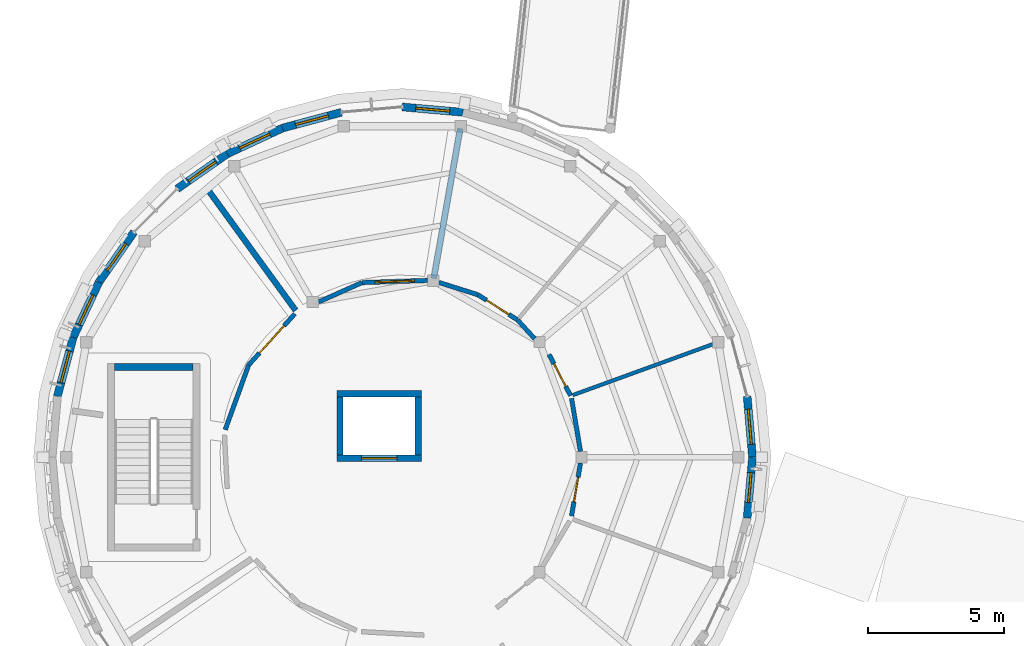
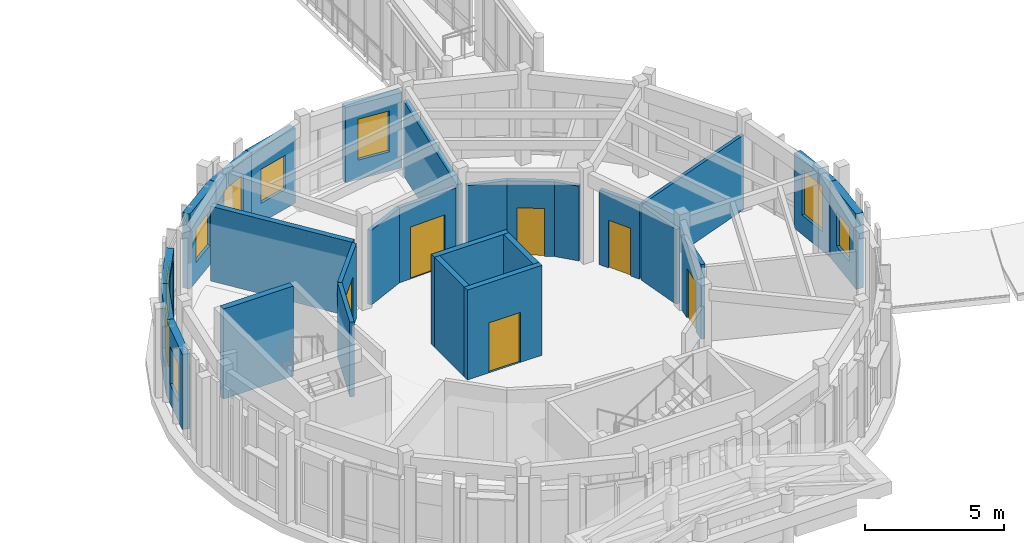
# One storey, part 44 of 80: 27 walls, 9 windows, 6 doors, 15 openings.
"""IFC4 building model written with IfcOpenShell, lengths in metres."""

from ifc_helpers import new_model, si_unit, direction, frame, frame_2d, origin, place, context, subcontext, project, spatial, rectangle, extrude, material, layer, layer_set, type_object, element, fill, save


model = new_model("IFC4")

# Units and contexts
model_context = context("Model", 3, precision=1e-05, world=origin(), true_north=direction((0.0, 1.0)))
body_context = subcontext(model_context, "Body", "Model", "MODEL_VIEW")
ifc_project = project(units=[si_unit("LENGTHUNIT", "METRE"), si_unit("AREAUNIT", "SQUARE_METRE"), si_unit("VOLUMEUNIT", "CUBIC_METRE"), si_unit("PLANEANGLEUNIT", "RADIAN"), si_unit("MASSUNIT", "GRAM", prefix="KILO")], contexts=[model_context])

# Site, building, storey
site_placement = place(None, origin())
site = spatial("IfcSite", under=ifc_project, at=site_placement, CompositionType="ELEMENT")
building_placement = place(site_placement, origin())
building = spatial("IfcBuilding", under=site, at=building_placement, Name="Aldenvaro Health Centre", CompositionType="ELEMENT")
storey_placement = place(building_placement, frame((0.0, 0.0, 4.550048828125)))
storey = spatial("IfcBuildingStorey", under=building, at=storey_placement, Name="L01", CompositionType="ELEMENT", Elevation=4.550048828125)

# Wall, opening, door
ifc_material_1 = material(Name="Gypsum Stud Acoustic Assembly")
ifc_layer_1 = layer(ifc_material_1, 0.1650390625, Name="Gypsum Stud Acoustic Assembly")
ifc_layer_set_1 = layer_set([ifc_layer_1], Name="Gypsum Stud Acoustic Assembly")
wall_type_1 = type_object("IfcWallType", Name="WL-COR-165", PredefinedType="PARTITIONING", material=ifc_layer_set_1)
wall_1_placement = place(storey_placement, frame((19.431884765625, 25.011962890625, 0.0), z_axis=(0.0, 0.0, 1.0), x_axis=(-0.999438163876, -0.033516512162, 0.0)))
wall_1 = element("IfcWall", 1, at=wall_1_placement, inside=storey, type_object=wall_type_1, Name="D5 L01 corridor wall 01.1", PredefinedType="PARTITIONING", context=body_context, shape_type="SweptSolid", body=[
    extrude(rectangle(XDim=2.41845703125, YDim=0.1650390625, at=frame_2d((1.209228515625, 0.0))), origin(), (0.0, 0.0, 1.0), 3.283935546875),
])
opening_1_placement = place(wall_1_placement, frame((0.48388671875, 0.0, 0.0)))
opening_1 = element("IfcOpeningElement", 2, at=opening_1_placement, cuts=wall_1, Name="Opening XD-01", PredefinedType="OPENING", context=body_context, shape_type="SweptSolid", body=[
    extrude(rectangle(XDim=1.449951171875, YDim=2.280029296875, at=frame_2d((0.72509765625, 1.14013671875))), frame((0.0, 0.092529296875, 0.0), z_axis=(0.0, -1.0, 0.0), x_axis=(1.0, 0.0, 0.0)), (0.0, 0.0, 1.0), 0.18505859375),
])
ifc_material_2 = material(Name="Lead-Lined Shielded Imaging Door")
door_type_1 = type_object("IfcDoorType", Name="DR-IMG-145", OperationType="NOTDEFINED", PredefinedType="DOOR", material=ifc_material_2)
door_1_placement = place(opening_1_placement, origin())
door_1 = element("IfcDoor", 3, at=door_1_placement, inside=storey, type_object=door_type_1, Name="Mammography Suite 01 Door", OperationType="SINGLE_SWING_LEFT", OverallHeight=2.280029296875, OverallWidth=1.449951171875, PredefinedType="DOOR", context=body_context, shape_type="SweptSolid", body=[
    extrude(rectangle(XDim=1.449951171875, YDim=2.280029296875, at=frame_2d((0.72509765625, 1.14013671875))), frame((0.0, 0.02490234375, 0.0), z_axis=(0.0, -1.0, 0.0), x_axis=(1.0, 0.0, 0.0)), (0.0, 0.0, 1.0), 0.050048828125),
])
fill(opening_1, door_1)

# Wall
wall_2_placement = place(storey_placement, frame((17.014892578125, 24.930908203125, 0.0), z_axis=(0.0, 0.0, 1.0), x_axis=(-0.9130053983, -0.407947475389, 0.0)))
element("IfcWall", 4, at=wall_2_placement, inside=storey, type_object=wall_type_1, Name="D5 L01 corridor wall 01.2", PredefinedType="PARTITIONING", context=body_context, shape_type="SweptSolid", body=[
    extrude(rectangle(XDim=1.752197265625, YDim=0.1650390625, at=frame_2d((0.8759765625, 0.0))), origin(), (0.0, 0.0, 1.0), 3.283935546875),
])

# Wall, opening, door
wall_3_placement = place(storey_placement, frame((14.5419921875, 23.781005859375, 0.0), z_axis=(0.0, 0.0, 1.0), x_axis=(-0.670075829694, -0.74229265284, 0.0)))
wall_3 = element("IfcWall", 5, at=wall_3_placement, inside=storey, type_object=wall_type_1, Name="D5 L01 corridor wall 02.1", PredefinedType="PARTITIONING", context=body_context, shape_type="SweptSolid", body=[
    extrude(rectangle(XDim=2.535400390625, YDim=0.1650390625, at=frame_2d((1.267578125, 0.0))), origin(), (0.0, 0.0, 1.0), 3.283935546875),
])
opening_2_placement = place(wall_3_placement, frame((0.593017578125, 0.0, 0.0)))
opening_2 = element("IfcOpeningElement", 6, at=opening_2_placement, cuts=wall_3, Name="Opening XD-02", PredefinedType="OPENING", context=body_context, shape_type="SweptSolid", body=[
    extrude(rectangle(XDim=1.35009765625, YDim=2.219970703125, at=frame_2d((0.675048828125, 1.10986328125))), frame((0.0, 0.092529296875, 0.0), z_axis=(0.0, -1.0, 0.0), x_axis=(1.0, 0.0, 0.0)), (0.0, 0.0, 1.0), 0.18505859375),
])
ifc_material_3 = material(Name="RF-Shielded MRI Suite Door")
door_type_2 = type_object("IfcDoorType", Name="DR-IMG-135", OperationType="NOTDEFINED", PredefinedType="DOOR", material=ifc_material_3)
door_2_placement = place(opening_2_placement, origin())
door_2 = element("IfcDoor", 7, at=door_2_placement, inside=storey, type_object=door_type_2, Name="Mammography Suite 02 Door", OperationType="SINGLE_SWING_RIGHT", OverallHeight=2.219970703125, OverallWidth=1.35009765625, PredefinedType="DOOR", context=body_context, shape_type="SweptSolid", body=[
    extrude(rectangle(XDim=1.35009765625, YDim=2.219970703125, at=frame_2d((0.675048828125, 1.10986328125))), frame((0.0, 0.02490234375, 0.0), z_axis=(0.0, -1.0, 0.0), x_axis=(1.0, 0.0, 0.0)), (0.0, 0.0, 1.0), 0.050048828125),
])
fill(opening_2, door_2)

# Wall
wall_4_placement = place(storey_placement, frame((12.843017578125, 21.89892578125, 0.0), z_axis=(0.0, 0.0, 1.0), x_axis=(-0.34073018183, -0.940161126185, 0.0)))
element("IfcWall", 8, at=wall_4_placement, inside=storey, type_object=wall_type_1, Name="D5 L01 corridor wall 02.2", PredefinedType="PARTITIONING", context=body_context, shape_type="SweptSolid", body=[
    extrude(rectangle(XDim=2.535888671875, YDim=0.1650390625, at=frame_2d((1.26806640625, 0.0))), origin(), (0.0, 0.0, 1.0), 3.283935546875),
])

# Wall, opening, door
wall_5_placement = place(storey_placement, frame((24.735107421875, 16.3349609375, 0.0), z_axis=(0.0, 0.0, 1.0), x_axis=(0.166037850653, 0.986119380273, 0.0)))
wall_5 = element("IfcWall", 9, at=wall_5_placement, inside=storey, type_object=wall_type_1, Name="D5 L01 corridor wall 07.1", PredefinedType="PARTITIONING", context=body_context, shape_type="SweptSolid", body=[
    extrude(rectangle(XDim=1.980712890625, YDim=0.1650390625, at=frame_2d((0.990234375, 0.0))), origin(), (0.0, 0.0, 1.0), 3.283935546875),
])
opening_3_placement = place(wall_5_placement, frame((0.52490234375, 0.0, 0.0)))
opening_3 = element("IfcOpeningElement", 10, at=opening_3_placement, cuts=wall_5, Name="Opening D-16", PredefinedType="OPENING", context=body_context, shape_type="SweptSolid", body=[
    extrude(rectangle(XDim=0.929931640625, YDim=2.179931640625, at=frame_2d((0.46484375, 1.08984375))), frame((0.0, 0.092529296875, 0.0), z_axis=(0.0, -1.0, 0.0), x_axis=(1.0, 0.0, 0.0)), (0.0, 0.0, 1.0), 0.18505859375),
])
ifc_material_4 = material(Name="Exam Suite Timber Door", Category="wood")
door_type_3 = type_object("IfcDoorType", Name="DR-CLN-16", OperationType="NOTDEFINED", PredefinedType="DOOR", material=ifc_material_4)
door_3_placement = place(opening_3_placement, origin())
door_3 = element("IfcDoor", 11, at=door_3_placement, inside=storey, type_object=door_type_3, Name="Gowned Waiting Lounge Door", OperationType="SINGLE_SWING_LEFT", OverallHeight=2.179931640625, OverallWidth=0.929931640625, PredefinedType="DOOR", context=body_context, shape_type="SweptSolid", body=[
    extrude(rectangle(XDim=0.929931640625, YDim=2.179931640625, at=frame_2d((0.46484375, 1.08984375))), frame((0.0, 0.02490234375, 0.0), z_axis=(0.0, -1.0, 0.0), x_axis=(1.0, 0.0, 0.0)), (0.0, 0.0, 1.0), 0.050048828125),
])
fill(opening_3, door_3)

# Wall
wall_6_placement = place(storey_placement, frame((25.06396484375, 18.7119140625, 0.0), z_axis=(0.0, 0.0, 1.0), x_axis=(-0.166037850653, 0.986119380273, 0.0)))
element("IfcWall", 12, at=wall_6_placement, inside=storey, type_object=wall_type_1, Name="D5 L01 corridor wall 07.2", PredefinedType="PARTITIONING", context=body_context, shape_type="SweptSolid", body=[
    extrude(rectangle(XDim=1.980712890625, YDim=0.1650390625, at=frame_2d((0.990234375, 0.0))), origin(), (0.0, 0.0, 1.0), 3.283935546875),
])

# Wall, opening, door
wall_7_placement = place(storey_placement, frame((24.698974609375, 20.76611328125, 0.0), z_axis=(0.0, 0.0, 1.0), x_axis=(-0.462585475812, 0.886574688093, 0.0)))
wall_7 = element("IfcWall", 13, at=wall_7_placement, inside=storey, type_object=wall_type_1, Name="D5 L01 corridor wall 08.1", PredefinedType="PARTITIONING", context=body_context, shape_type="SweptSolid", body=[
    extrude(rectangle(XDim=1.714111328125, YDim=0.1650390625, at=frame_2d((0.85693359375, 0.0))), origin(), (0.0, 0.0, 1.0), 3.283935546875),
])
opening_4_placement = place(wall_7_placement, frame((0.386962890625, 0.0, 0.0)))
opening_4 = element("IfcOpeningElement", 14, at=opening_4_placement, cuts=wall_7, Name="Opening WD-02", PredefinedType="OPENING", context=body_context, shape_type="SweptSolid", body=[
    extrude(rectangle(XDim=0.93994140625, YDim=2.10009765625, at=frame_2d((0.469970703125, 1.050048828125))), frame((0.0, 0.092529296875, 0.0), z_axis=(0.0, -1.0, 0.0), x_axis=(1.0, 0.0, 0.0)), (0.0, 0.0, 1.0), 0.18505859375),
])
ifc_material_5 = material(Name="Accessible Sanitary Laminate Door")
door_type_4 = type_object("IfcDoorType", Name="DR-WC-02", OperationType="NOTDEFINED", PredefinedType="DOOR", material=ifc_material_5)
door_4_placement = place(opening_4_placement, origin())
door_4 = element("IfcDoor", 15, at=door_4_placement, inside=storey, type_object=door_type_4, Name="Male Visitor WC Door", OperationType="SINGLE_SWING_RIGHT", OverallHeight=2.10009765625, OverallWidth=0.93994140625, PredefinedType="DOOR", context=body_context, shape_type="SweptSolid", body=[
    extrude(rectangle(XDim=0.93994140625, YDim=2.10009765625, at=frame_2d((0.469970703125, 1.050048828125))), frame((0.0, 0.02490234375, 0.0), z_axis=(0.0, -1.0, 0.0), x_axis=(1.0, 0.0, 0.0)), (0.0, 0.0, 1.0), 0.050048828125),
])
fill(opening_4, door_4)

# Wall
wall_8_placement = place(storey_placement, frame((23.3779296875, 22.863037109375, 0.0), z_axis=(0.0, 0.0, 1.0), x_axis=(-0.675225947862, 0.737610953914, 0.0)))
element("IfcWall", 16, at=wall_8_placement, inside=storey, type_object=wall_type_1, Name="D5 L01 corridor wall 08.2", PredefinedType="PARTITIONING", context=body_context, shape_type="SweptSolid", body=[
    extrude(rectangle(XDim=0.931396484375, YDim=0.1650390625, at=frame_2d((0.4658203125, 0.0))), origin(), (0.0, 0.0, 1.0), 3.283935546875),
])

# Wall, opening, door
wall_9_placement = place(storey_placement, frame((22.735107421875, 23.56201171875, 0.0), z_axis=(0.0, 0.0, 1.0), x_axis=(-0.843737732446, 0.536755660283, 0.0)))
wall_9 = element("IfcWall", 17, at=wall_9_placement, inside=storey, type_object=wall_type_1, Name="D5 L01 corridor wall 09.1", PredefinedType="PARTITIONING", context=body_context, shape_type="SweptSolid", body=[
    extrude(rectangle(XDim=1.7138671875, YDim=0.1650390625, at=frame_2d((0.85693359375, 0.0))), origin(), (0.0, 0.0, 1.0), 3.283935546875),
])
opening_5_placement = place(wall_9_placement, frame((0.366943359375, 0.0, 0.0)))
opening_5 = element("IfcOpeningElement", 18, at=opening_5_placement, cuts=wall_9, Name="Opening WD-03", PredefinedType="OPENING", context=body_context, shape_type="SweptSolid", body=[
    extrude(rectangle(XDim=0.97998046875, YDim=2.10009765625, at=frame_2d((0.489990234375, 1.050048828125))), frame((0.0, 0.092529296875, 0.0), z_axis=(0.0, -1.0, 0.0), x_axis=(1.0, 0.0, 0.0)), (0.0, 0.0, 1.0), 0.18505859375),
])
ifc_material_6 = material(Name="Bariatric Accessible Sanitary Door")
door_type_5 = type_object("IfcDoorType", Name="DR-WC-03", OperationType="NOTDEFINED", PredefinedType="DOOR", material=ifc_material_6)
door_5_placement = place(opening_5_placement, origin())
door_5 = element("IfcDoor", 19, at=door_5_placement, inside=storey, type_object=door_type_5, Name="Female Patient WC Door", OperationType="SINGLE_SWING_LEFT", OverallHeight=2.10009765625, OverallWidth=0.97998046875, PredefinedType="DOOR", context=body_context, shape_type="SweptSolid", body=[
    extrude(rectangle(XDim=0.97998046875, YDim=2.10009765625, at=frame_2d((0.489990234375, 1.050048828125))), frame((0.0, 0.02490234375, 0.0), z_axis=(0.0, -1.0, 0.0), x_axis=(1.0, 0.0, 0.0)), (0.0, 0.0, 1.0), 0.050048828125),
])
fill(opening_5, door_5)

# Wall
wall_10_placement = place(storey_placement, frame((21.2890625, 24.48193359375, 0.0), z_axis=(0.0, 0.0, 1.0), x_axis=(-0.953582665134, 0.301131367937, 0.0)))
element("IfcWall", 20, at=wall_10_placement, inside=storey, type_object=wall_type_1, Name="D5 L01 corridor wall 09.2", PredefinedType="PARTITIONING", context=body_context, shape_type="SweptSolid", body=[
    extrude(rectangle(XDim=1.508056640625, YDim=0.1650390625, at=frame_2d((0.75390625, 0.0))), origin(), (0.0, 0.0, 1.0), 3.283935546875),
])

# Wall, opening, window
ifc_material_7 = material(Name="Cross-laminated timber CLT E1", Category="wood")
ifc_layer_2 = layer(ifc_material_7, 0.2900390625, Name="Cross-laminated timber CLT E1", Category="wood")
ifc_layer_set_2 = layer_set([ifc_layer_2], Name="Cross-laminated timber CLT E1")
wall_type_2 = type_object("IfcWallType", Name="WL-EXT-290", PredefinedType="ELEMENTEDWALL", material=ifc_layer_set_2)
wall_11_placement = place(storey_placement, frame((31.39990234375, 18.5, 0.0), z_axis=(0.0, 0.0, 1.0), x_axis=(-0.087079400775, -0.996201374201, 0.0)))
wall_11 = element("IfcWall", 21, at=wall_11_placement, inside=storey, type_object=wall_type_2, Name="D5 L01 exterior wall 01", PredefinedType="ELEMENTEDWALL", context=body_context, shape_type="SweptSolid", body=[
    extrude(rectangle(XDim=2.24853515625, YDim=0.2900390625, at=frame_2d((1.124267578125, 0.0))), origin(), (0.0, 0.0, 1.0), 3.308837890625),
])
opening_6_placement = place(wall_11_placement, frame((0.573974609375, 0.0, 0.85009765625)))
opening_6 = element("IfcOpeningElement", 22, at=opening_6_placement, cuts=wall_11, Name="Opening W-26", PredefinedType="OPENING", context=body_context, shape_type="SweptSolid", body=[
    extrude(rectangle(XDim=1.10009765625, YDim=1.5, at=frame_2d((0.550048828125, 0.75))), frame((0.0, 0.155029296875, 0.0), z_axis=(0.0, -1.0, 0.0), x_axis=(1.0, 0.0, 0.0)), (0.0, 0.0, 1.0), 0.31005859375),
])
ifc_material_8 = material(Name="Thermally Broken Aluminium Low-E Glass", Category="aluminium")
window_type_1 = type_object("IfcWindowType", Name="WN-EXT-26", PartitioningType="SINGLE_PANEL", PredefinedType="WINDOW", material=ifc_material_8)
window_1_placement = place(opening_6_placement, origin())
window_1 = element("IfcWindow", 23, at=window_1_placement, inside=storey, type_object=window_type_1, Name="D5 L01 clinical window 01", OverallHeight=1.5, OverallWidth=1.10009765625, PartitioningType="SINGLE_PANEL", PredefinedType="WINDOW", context=body_context, shape_type="SweptSolid", body=[
    extrude(rectangle(XDim=1.10009765625, YDim=1.5, at=frame_2d((0.550048828125, 0.75))), frame((0.0, 0.030029296875, 0.0), z_axis=(0.0, -1.0, 0.0), x_axis=(1.0, 0.0, 0.0)), (0.0, 0.0, 1.0), 0.06005859375),
])
fill(opening_6, window_1)

wall_12_placement = place(storey_placement, frame((5.7958984375, 20.739990234375, 0.0), z_axis=(0.0, 0.0, 1.0), x_axis=(0.258824721145, 0.96592430538, 0.0)))
wall_12 = element("IfcWall", 24, at=wall_12_placement, inside=storey, type_object=wall_type_2, Name="D5 L01 exterior wall 20", PredefinedType="ELEMENTEDWALL", context=body_context, shape_type="SweptSolid", body=[
    extrude(rectangle(XDim=2.248779296875, YDim=0.2900390625, at=frame_2d((1.12451171875, 0.0))), origin(), (0.0, 0.0, 1.0), 3.308837890625),
])
opening_7_placement = place(wall_12_placement, frame((0.52392578125, 0.0, 0.85009765625)))
opening_7 = element("IfcOpeningElement", 25, at=opening_7_placement, cuts=wall_12, Name="Opening W-37", PredefinedType="OPENING", context=body_context, shape_type="SweptSolid", body=[
    extrude(rectangle(XDim=1.199951171875, YDim=1.64990234375, at=frame_2d((0.60009765625, 0.824951171875))), frame((0.0, 0.155029296875, 0.0), z_axis=(0.0, -1.0, 0.0), x_axis=(1.0, 0.0, 0.0)), (0.0, 0.0, 1.0), 0.31005859375),
])
window_type_2 = type_object("IfcWindowType", Name="WN-EXT-37", PartitioningType="SINGLE_PANEL", PredefinedType="WINDOW", material=ifc_material_8)
window_2_placement = place(opening_7_placement, origin())
window_2 = element("IfcWindow", 26, at=window_2_placement, inside=storey, type_object=window_type_2, Name="D5 L01 clinical window 20", OverallHeight=1.64990234375, OverallWidth=1.199951171875, PartitioningType="SINGLE_PANEL", PredefinedType="WINDOW", context=body_context, shape_type="SweptSolid", body=[
    extrude(rectangle(XDim=1.199951171875, YDim=1.64990234375, at=frame_2d((0.60009765625, 0.824951171875))), frame((0.0, 0.030029296875, 0.0), z_axis=(0.0, -1.0, 0.0), x_axis=(1.0, 0.0, 0.0)), (0.0, 0.0, 1.0), 0.06005859375),
])
fill(opening_7, window_2)

wall_13_placement = place(storey_placement, frame((6.3779296875, 22.912109375, 0.0), z_axis=(0.0, 0.0, 1.0), x_axis=(0.422504983593, 0.906360600886, 0.0)))
wall_13 = element("IfcWall", 27, at=wall_13_placement, inside=storey, type_object=wall_type_2, Name="D5 L01 exterior wall 21", PredefinedType="ELEMENTEDWALL", context=body_context, shape_type="SweptSolid", body=[
    extrude(rectangle(XDim=2.248291015625, YDim=0.2900390625, at=frame_2d((1.1240234375, 0.0))), origin(), (0.0, 0.0, 1.0), 3.308837890625),
])
opening_8_placement = place(wall_13_placement, frame((0.52392578125, 0.0, 0.85009765625)))
opening_8 = element("IfcOpeningElement", 28, at=opening_8_placement, cuts=wall_13, Name="Opening W-38", PredefinedType="OPENING", context=body_context, shape_type="SweptSolid", body=[
    extrude(rectangle(XDim=1.199951171875, YDim=1.949951171875, at=frame_2d((0.60009765625, 0.97509765625))), frame((0.0, 0.155029296875, 0.0), z_axis=(0.0, -1.0, 0.0), x_axis=(1.0, 0.0, 0.0)), (0.0, 0.0, 1.0), 0.31005859375),
])
window_type_3 = type_object("IfcWindowType", Name="WN-EXT-38", PartitioningType="SINGLE_PANEL", PredefinedType="WINDOW", material=ifc_material_8)
window_3_placement = place(opening_8_placement, origin())
window_3 = element("IfcWindow", 29, at=window_3_placement, inside=storey, type_object=window_type_3, Name="D5 L01 clinical window 21", OverallHeight=1.949951171875, OverallWidth=1.199951171875, PartitioningType="SINGLE_PANEL", PredefinedType="WINDOW", context=body_context, shape_type="SweptSolid", body=[
    extrude(rectangle(XDim=1.199951171875, YDim=1.949951171875, at=frame_2d((0.60009765625, 0.97509765625))), frame((0.0, 0.030029296875, 0.0), z_axis=(0.0, -1.0, 0.0), x_axis=(1.0, 0.0, 0.0)), (0.0, 0.0, 1.0), 0.06005859375),
])
fill(opening_8, window_3)

wall_14_placement = place(storey_placement, frame((7.327880859375, 24.949951171875, 0.0), z_axis=(0.0, 0.0, 1.0), x_axis=(0.573644482107, 0.819104393925, 0.0)))
wall_14 = element("IfcWall", 30, at=wall_14_placement, inside=storey, type_object=wall_type_2, Name="D5 L01 exterior wall 22", PredefinedType="ELEMENTEDWALL", context=body_context, shape_type="SweptSolid", body=[
    extrude(rectangle(XDim=2.248779296875, YDim=0.2900390625, at=frame_2d((1.12451171875, 0.0))), origin(), (0.0, 0.0, 1.0), 3.308837890625),
])
opening_9_placement = place(wall_14_placement, frame((0.52392578125, 0.0, 0.85009765625)))
opening_9 = element("IfcOpeningElement", 31, at=opening_9_placement, cuts=wall_14, Name="Opening W-39", PredefinedType="OPENING", context=body_context, shape_type="SweptSolid", body=[
    extrude(rectangle(XDim=1.199951171875, YDim=2.25, at=frame_2d((0.60009765625, 1.125))), frame((0.0, 0.155029296875, 0.0), z_axis=(0.0, -1.0, 0.0), x_axis=(1.0, 0.0, 0.0)), (0.0, 0.0, 1.0), 0.31005859375),
])
window_type_4 = type_object("IfcWindowType", Name="WN-EXT-39", PartitioningType="SINGLE_PANEL", PredefinedType="WINDOW", material=ifc_material_8)
window_4_placement = place(opening_9_placement, origin())
window_4 = element("IfcWindow", 32, at=window_4_placement, inside=storey, type_object=window_type_4, Name="D5 L01 clinical window 22", OverallHeight=2.25, OverallWidth=1.199951171875, PartitioningType="SINGLE_PANEL", PredefinedType="WINDOW", context=body_context, shape_type="SweptSolid", body=[
    extrude(rectangle(XDim=1.199951171875, YDim=2.25, at=frame_2d((0.60009765625, 1.125))), frame((0.0, 0.030029296875, 0.0), z_axis=(0.0, -1.0, 0.0), x_axis=(1.0, 0.0, 0.0)), (0.0, 0.0, 1.0), 0.06005859375),
])
fill(opening_9, window_4)

wall_15_placement = place(storey_placement, frame((10.2080078125, 28.382080078125, 0.0), z_axis=(0.0, 0.0, 1.0), x_axis=(0.819104393925, 0.573644482107, 0.0)))
wall_15 = element("IfcWall", 33, at=wall_15_placement, inside=storey, type_object=wall_type_2, Name="D5 L01 exterior wall 24", PredefinedType="ELEMENTEDWALL", context=body_context, shape_type="SweptSolid", body=[
    extrude(rectangle(XDim=2.248779296875, YDim=0.2900390625, at=frame_2d((1.12451171875, 0.0))), origin(), (0.0, 0.0, 1.0), 3.308837890625),
])
opening_10_placement = place(wall_15_placement, frame((0.513916015625, 0.0, 0.85009765625)))
opening_10 = element("IfcOpeningElement", 34, at=opening_10_placement, cuts=wall_15, Name="Opening W-40", PredefinedType="OPENING", context=body_context, shape_type="SweptSolid", body=[
    extrude(rectangle(XDim=1.219970703125, YDim=1.5, at=frame_2d((0.60986328125, 0.75))), frame((0.0, 0.155029296875, 0.0), z_axis=(0.0, -1.0, 0.0), x_axis=(1.0, 0.0, 0.0)), (0.0, 0.0, 1.0), 0.31005859375),
])
window_type_5 = type_object("IfcWindowType", Name="WN-EXT-40", PartitioningType="SINGLE_PANEL", PredefinedType="WINDOW", material=ifc_material_8)
window_5_placement = place(opening_10_placement, origin())
window_5 = element("IfcWindow", 35, at=window_5_placement, inside=storey, type_object=window_type_5, Name="D5 L01 clinical window 24", OverallHeight=1.5, OverallWidth=1.219970703125, PartitioningType="SINGLE_PANEL", PredefinedType="WINDOW", context=body_context, shape_type="SweptSolid", body=[
    extrude(rectangle(XDim=1.219970703125, YDim=1.5, at=frame_2d((0.60986328125, 0.75))), frame((0.0, 0.030029296875, 0.0), z_axis=(0.0, -1.0, 0.0), x_axis=(1.0, 0.0, 0.0)), (0.0, 0.0, 1.0), 0.06005859375),
])
fill(opening_10, window_5)

wall_16_placement = place(storey_placement, frame((12.050048828125, 29.672119140625, 0.0), z_axis=(0.0, 0.0, 1.0), x_axis=(0.906360600886, 0.422504983593, 0.0)))
wall_16 = element("IfcWall", 36, at=wall_16_placement, inside=storey, type_object=wall_type_2, Name="D5 L01 exterior wall 25", PredefinedType="ELEMENTEDWALL", context=body_context, shape_type="SweptSolid", body=[
    extrude(rectangle(XDim=2.248291015625, YDim=0.2900390625, at=frame_2d((1.1240234375, 0.0))), origin(), (0.0, 0.0, 1.0), 3.308837890625),
])
opening_11_placement = place(wall_16_placement, frame((0.513916015625, 0.0, 0.85009765625)))
opening_11 = element("IfcOpeningElement", 37, at=opening_11_placement, cuts=wall_16, Name="Opening W-41", PredefinedType="OPENING", context=body_context, shape_type="SweptSolid", body=[
    extrude(rectangle(XDim=1.219970703125, YDim=1.800048828125, at=frame_2d((0.60986328125, 0.89990234375))), frame((0.0, 0.155029296875, 0.0), z_axis=(0.0, -1.0, 0.0), x_axis=(1.0, 0.0, 0.0)), (0.0, 0.0, 1.0), 0.31005859375),
])
window_type_6 = type_object("IfcWindowType", Name="WN-EXT-41", PartitioningType="SINGLE_PANEL", PredefinedType="WINDOW", material=ifc_material_8)
window_6_placement = place(opening_11_placement, origin())
window_6 = element("IfcWindow", 38, at=window_6_placement, inside=storey, type_object=window_type_6, Name="D5 L01 clinical window 25", OverallHeight=1.800048828125, OverallWidth=1.219970703125, PartitioningType="SINGLE_PANEL", PredefinedType="WINDOW", context=body_context, shape_type="SweptSolid", body=[
    extrude(rectangle(XDim=1.219970703125, YDim=1.800048828125, at=frame_2d((0.60986328125, 0.89990234375))), frame((0.0, 0.030029296875, 0.0), z_axis=(0.0, -1.0, 0.0), x_axis=(1.0, 0.0, 0.0)), (0.0, 0.0, 1.0), 0.06005859375),
])
fill(opening_11, window_6)

wall_17_placement = place(storey_placement, frame((14.087890625, 30.6220703125, 0.0), z_axis=(0.0, 0.0, 1.0), x_axis=(0.96592430538, 0.258824721145, 0.0)))
wall_17 = element("IfcWall", 39, at=wall_17_placement, inside=storey, type_object=wall_type_2, Name="D5 L01 exterior wall 26", PredefinedType="ELEMENTEDWALL", context=body_context, shape_type="SweptSolid", body=[
    extrude(rectangle(XDim=2.248779296875, YDim=0.2900390625, at=frame_2d((1.12451171875, 0.0))), origin(), (0.0, 0.0, 1.0), 3.308837890625),
])
opening_12_placement = place(wall_17_placement, frame((0.4990234375, 0.0, 0.85009765625)))
opening_12 = element("IfcOpeningElement", 40, at=opening_12_placement, cuts=wall_17, Name="Opening W-42", PredefinedType="OPENING", context=body_context, shape_type="SweptSolid", body=[
    extrude(rectangle(XDim=1.25, YDim=1.5, at=frame_2d((0.625, 0.75))), frame((0.0, 0.155029296875, 0.0), z_axis=(0.0, -1.0, 0.0), x_axis=(1.0, 0.0, 0.0)), (0.0, 0.0, 1.0), 0.31005859375),
])
window_type_7 = type_object("IfcWindowType", Name="WN-EXT-42", PartitioningType="SINGLE_PANEL", PredefinedType="WINDOW", material=ifc_material_8)
window_7_placement = place(opening_12_placement, origin())
window_7 = element("IfcWindow", 41, at=window_7_placement, inside=storey, type_object=window_type_7, Name="D5 L01 clinical window 26", OverallHeight=1.5, OverallWidth=1.25, PartitioningType="SINGLE_PANEL", PredefinedType="WINDOW", context=body_context, shape_type="SweptSolid", body=[
    extrude(rectangle(XDim=1.25, YDim=1.5, at=frame_2d((0.625, 0.75))), frame((0.0, 0.030029296875, 0.0), z_axis=(0.0, -1.0, 0.0), x_axis=(1.0, 0.0, 0.0)), (0.0, 0.0, 1.0), 0.06005859375),
])
fill(opening_12, window_7)

wall_18_placement = place(storey_placement, frame((18.5, 31.39990234375, 0.0), z_axis=(0.0, 0.0, 1.0), x_axis=(0.996201374201, -0.087079400775, 0.0)))
wall_18 = element("IfcWall", 42, at=wall_18_placement, inside=storey, type_object=wall_type_2, Name="D5 L01 exterior wall 28", PredefinedType="ELEMENTEDWALL", context=body_context, shape_type="SweptSolid", body=[
    extrude(rectangle(XDim=2.24853515625, YDim=0.2900390625, at=frame_2d((1.124267578125, 0.0))), origin(), (0.0, 0.0, 1.0), 3.308837890625),
])
opening_13_placement = place(wall_18_placement, frame((0.4990234375, 0.0, 0.85009765625)))
opening_13 = element("IfcOpeningElement", 43, at=opening_13_placement, cuts=wall_18, Name="Opening W-43", PredefinedType="OPENING", context=body_context, shape_type="SweptSolid", body=[
    extrude(rectangle(XDim=1.25, YDim=1.800048828125, at=frame_2d((0.625, 0.89990234375))), frame((0.0, 0.155029296875, 0.0), z_axis=(0.0, -1.0, 0.0), x_axis=(1.0, 0.0, 0.0)), (0.0, 0.0, 1.0), 0.31005859375),
])
window_type_8 = type_object("IfcWindowType", Name="WN-EXT-43", PartitioningType="SINGLE_PANEL", PredefinedType="WINDOW", material=ifc_material_8)
window_8_placement = place(opening_13_placement, origin())
window_8 = element("IfcWindow", 44, at=window_8_placement, inside=storey, type_object=window_type_8, Name="D5 L01 clinical window 28", OverallHeight=1.800048828125, OverallWidth=1.25, PartitioningType="SINGLE_PANEL", PredefinedType="WINDOW", context=body_context, shape_type="SweptSolid", body=[
    extrude(rectangle(XDim=1.25, YDim=1.800048828125, at=frame_2d((0.625, 0.89990234375))), frame((0.0, 0.030029296875, 0.0), z_axis=(0.0, -1.0, 0.0), x_axis=(1.0, 0.0, 0.0)), (0.0, 0.0, 1.0), 0.06005859375),
])
fill(opening_13, window_8)

wall_19_placement = place(storey_placement, frame((31.2041015625, 20.739990234375, 0.0), z_axis=(0.0, 0.0, 1.0), x_axis=(0.087079400775, -0.996201374201, 0.0)))
wall_19 = element("IfcWall", 45, at=wall_19_placement, inside=storey, type_object=wall_type_2, Name="D5 L01 exterior wall 36", PredefinedType="ELEMENTEDWALL", context=body_context, shape_type="SweptSolid", body=[
    extrude(rectangle(XDim=2.24853515625, YDim=0.2900390625, at=frame_2d((1.124267578125, 0.0))), origin(), (0.0, 0.0, 1.0), 3.308837890625),
])
opening_14_placement = place(wall_19_placement, frame((0.47412109375, 0.0, 0.85009765625)))
opening_14 = element("IfcOpeningElement", 46, at=opening_14_placement, cuts=wall_19, Name="Opening W-48", PredefinedType="OPENING", context=body_context, shape_type="SweptSolid", body=[
    extrude(rectangle(XDim=1.300048828125, YDim=2.0, at=frame_2d((0.64990234375, 1.0))), frame((0.0, 0.155029296875, 0.0), z_axis=(0.0, -1.0, 0.0), x_axis=(1.0, 0.0, 0.0)), (0.0, 0.0, 1.0), 0.31005859375),
])
window_type_9 = type_object("IfcWindowType", Name="WN-EXT-48", PartitioningType="SINGLE_PANEL", PredefinedType="WINDOW", material=ifc_material_8)
window_9_placement = place(opening_14_placement, origin())
window_9 = element("IfcWindow", 47, at=window_9_placement, inside=storey, type_object=window_type_9, Name="D5 L01 clinical window 36", OverallHeight=2.0, OverallWidth=1.300048828125, PartitioningType="SINGLE_PANEL", PredefinedType="WINDOW", context=body_context, shape_type="SweptSolid", body=[
    extrude(rectangle(XDim=1.300048828125, YDim=2.0, at=frame_2d((0.64990234375, 1.0))), frame((0.0, 0.030029296875, 0.0), z_axis=(0.0, -1.0, 0.0), x_axis=(1.0, 0.0, 0.0)), (0.0, 0.0, 1.0), 0.06005859375),
])
fill(opening_14, window_9)

# Walls
ifc_material_9 = material(Name="Concrete f'c 35 MPa", Category="concrete")
ifc_layer_3 = layer(ifc_material_9, 0.215087890625, Name="Concrete f'c 35 MPa", Category="concrete")
ifc_layer_set_3 = layer_set([ifc_layer_3], Name="Concrete f'c 35 MPa")
wall_type_3 = type_object("IfcWallType", Name="WL-IMG-215", PredefinedType="SOLIDWALL", material=ifc_layer_set_3)
wall_20_placement = place(storey_placement, frame((19.659912109375, 25.0810546875, 0.0), z_axis=(0.0, 0.0, 1.0), x_axis=(0.173787813666, 0.984783121211, 0.0)))
element("IfcWall", 48, at=wall_20_placement, inside=storey, type_object=wall_type_3, Name="D5 L01 clinical partition 1.1", PredefinedType="SOLIDWALL", context=body_context, shape_type="SweptSolid", body=[
    extrude(rectangle(XDim=5.616455078125, YDim=0.215087890625, at=frame_2d((2.80810546875, 0.0))), origin(), (0.0, 0.0, 1.0), 3.283935546875),
])
wall_21_placement = place(storey_placement, frame((14.572021484375, 23.906982421875, 0.0), z_axis=(0.0, 0.0, 1.0), x_axis=(-0.58782249157, 0.808989937146, 0.0)))
element("IfcWall", 49, at=wall_21_placement, inside=storey, type_object=wall_type_3, Name="D5 L01 clinical partition 2.1", PredefinedType="SOLIDWALL", context=body_context, shape_type="SweptSolid", body=[
    extrude(rectangle(XDim=5.5712890625, YDim=0.215087890625, at=frame_2d((2.78564453125, 0.0))), origin(), (0.0, 0.0, 1.0), 3.283935546875),
])

# Wall, opening, door
ifc_material_10 = material(Name="Concrete f'c 40 MPa", Category="concrete")
ifc_layer_4 = layer(ifc_material_10, 0.22509765625, Name="Concrete f'c 40 MPa", Category="concrete")
ifc_layer_set_4 = layer_set([ifc_layer_4], Name="Concrete f'c 40 MPa")
wall_type_4 = type_object("IfcWallType", Name="WL-SHAFT-225", PredefinedType="SHEAR", material=ifc_layer_set_4)
wall_22_placement = place(storey_placement, frame((16.10009765625, 18.4619140625, 0.0), z_axis=(0.0, 0.0, 1.0), x_axis=(1.0, 0.0, 0.0)))
wall_22 = element("IfcWall", 50, at=wall_22_placement, inside=storey, type_object=wall_type_4, Name="LF-05 L01 lift shaft front wall", PredefinedType="SHEAR", context=body_context, shape_type="SweptSolid", body=[
    extrude(rectangle(XDim=3.099853515625, YDim=0.22509765625, at=frame_2d((1.5498046875, 0.0))), origin(), (0.0, 0.0, 1.0), 3.954833984375),
])
opening_15_placement = place(wall_22_placement, frame((0.89990234375, 0.0, 0.0)))
opening_15 = element("IfcOpeningElement", 51, at=opening_15_placement, cuts=wall_22, Name="Opening LD-02", PredefinedType="OPENING", context=body_context, shape_type="SweptSolid", body=[
    extrude(rectangle(XDim=1.300048828125, YDim=2.199951171875, at=frame_2d((0.64990234375, 1.10009765625))), frame((0.0, 0.12255859375, 0.0), z_axis=(0.0, -1.0, 0.0), x_axis=(1.0, 0.0, 0.0)), (0.0, 0.0, 1.0), 0.2451171875),
])
ifc_material_11 = material(Name="Stainless Steel Stretcher Landing Door", Category="steel")
door_type_6 = type_object("IfcDoorType", Name="DR-LIFT-130", OperationType="DOUBLE_DOOR_SLIDING", PredefinedType="DOOR", material=ifc_material_11)
door_6_placement = place(opening_15_placement, origin())
door_6 = element("IfcDoor", 52, at=door_6_placement, inside=storey, type_object=door_type_6, Name="Lift LF-05 L01 Sliding Landing Door", OperationType="DOUBLE_DOOR_SLIDING", OverallHeight=2.199951171875, OverallWidth=1.300048828125, PredefinedType="DOOR", context=body_context, shape_type="SweptSolid", body=[
    extrude(rectangle(XDim=1.300048828125, YDim=2.199951171875, at=frame_2d((0.64990234375, 1.10009765625))), frame((0.0, 0.02490234375, 0.0), z_axis=(0.0, -1.0, 0.0), x_axis=(1.0, 0.0, 0.0)), (0.0, 0.0, 1.0), 0.050048828125),
])
fill(opening_15, door_6)

# Walls
wall_23_placement = place(storey_placement, frame((16.10009765625, 20.8369140625, 0.0), z_axis=(0.0, 0.0, 1.0), x_axis=(1.0, 0.0, 0.0)))
element("IfcWall", 53, at=wall_23_placement, inside=storey, type_object=wall_type_4, Name="LF-05 L01 lift shaft rear wall", PredefinedType="SHEAR", context=body_context, shape_type="SweptSolid", body=[
    extrude(rectangle(XDim=3.099853515625, YDim=0.22509765625, at=frame_2d((1.5498046875, 0.0))), origin(), (0.0, 0.0, 1.0), 3.954833984375),
])
for number, where, z_axis, x_axis, name in (
    (54, (16.2119140625, 18.574951171875, 0.0), (0.0, 0.0, 1.0), (0.0, 1.0, 0.0), "LF-05 L01 lift shaft side wall L"),
    (55, (19.0869140625, 18.574951171875, 0.0), (0.0, 0.0, 1.0), (0.0, 1.0, 0.0), "LF-05 L01 lift shaft side wall R"),
):
    element("IfcWall", number, at=place(storey_placement, frame(where, z_axis=z_axis, x_axis=x_axis)), inside=storey, type_object=wall_type_4, Name=name, PredefinedType="SHEAR", context=body_context, shape_type="SweptSolid", body=[
        extrude(rectangle(XDim=2.150146484375, YDim=0.22509765625, at=frame_2d((1.0751953125, 0.0))), origin(), (0.0, 0.0, 1.0), 3.954833984375),
    ])
ifc_layer_5 = layer(ifc_material_10, 0.25, Name="Concrete f'c 40 MPa", Category="concrete")
ifc_layer_set_5 = layer_set([ifc_layer_5], Name="Concrete f'c 40 MPa")
wall_type_5 = type_object("IfcWallType", Name="WL-SHAFT-250", PredefinedType="SHEAR", material=ifc_layer_set_5)
wall_24_placement = place(storey_placement, frame((10.800048828125, 21.824951171875, 0.0), z_axis=(0.0, 0.0, 1.0), x_axis=(-1.0, 0.0, 0.0)))
element("IfcWall", 56, at=wall_24_placement, inside=storey, type_object=wall_type_5, Name="ST-09 L01 side core wall R", PredefinedType="SHEAR", context=body_context, shape_type="SweptSolid", body=[
    extrude(rectangle(XDim=2.900146484375, YDim=0.25, at=frame_2d((1.4501953125, 0.0))), origin(), (0.0, 0.0, 1.0), 3.954833984375),
])
ifc_material_12 = material(Name="Moisture-Resistant Plumbing Stud Wall")
ifc_layer_6 = layer(ifc_material_12, 0.135009765625, Name="Moisture-Resistant Plumbing Stud Wall")
ifc_layer_set_6 = layer_set([ifc_layer_6], Name="Moisture-Resistant Plumbing Stud Wall")
wall_type_6 = type_object("IfcWallType", Name="WL-WET-135", PredefinedType="PLUMBINGWALL", material=ifc_layer_set_6)
wall_25_placement = place(storey_placement, frame((24.780029296875, 20.785888671875, 0.0), z_axis=(0.0, 0.0, 1.0), x_axis=(0.939718505705, 0.341949016719, 0.0)))
element("IfcWall", 57, at=wall_25_placement, inside=storey, type_object=wall_type_6, Name="D5 L01 clinical partition 8.1", PredefinedType="PLUMBINGWALL", context=body_context, shape_type="SweptSolid", body=[
    extrude(rectangle(XDim=5.615478515625, YDim=0.135009765625, at=frame_2d((2.8076171875, 0.0))), origin(), (0.0, 0.0, 1.0), 3.283935546875),
])

save(model, "model.ifc")
